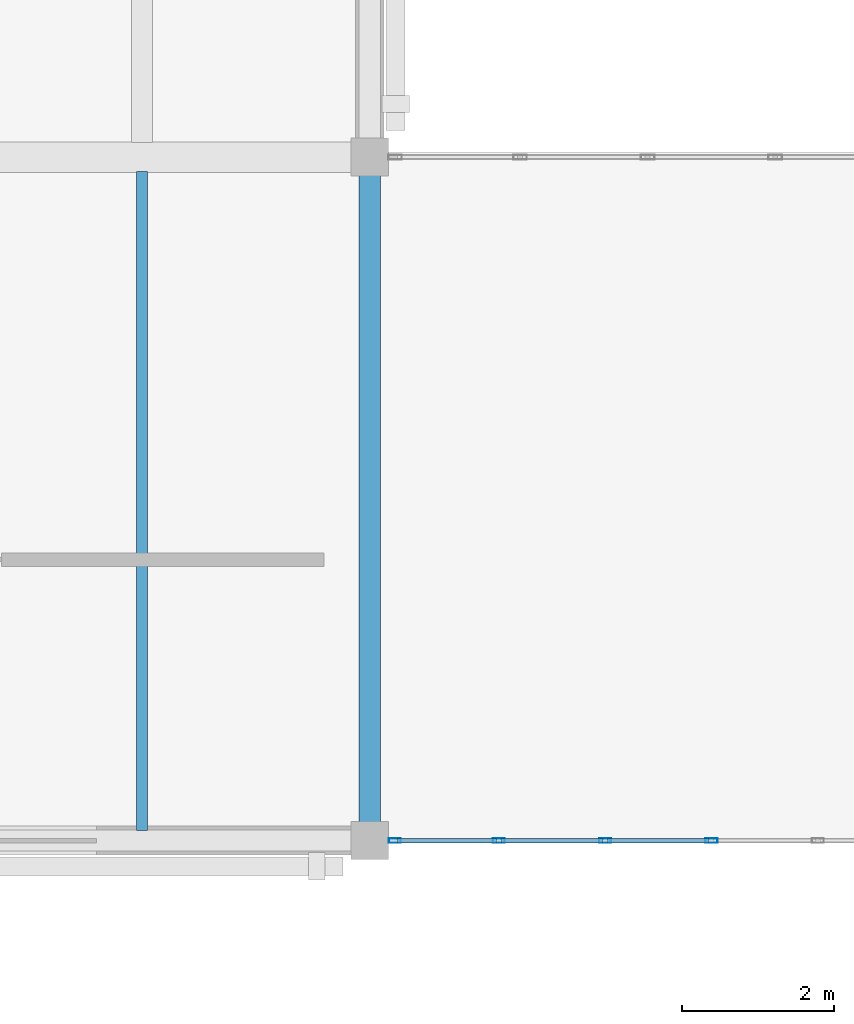
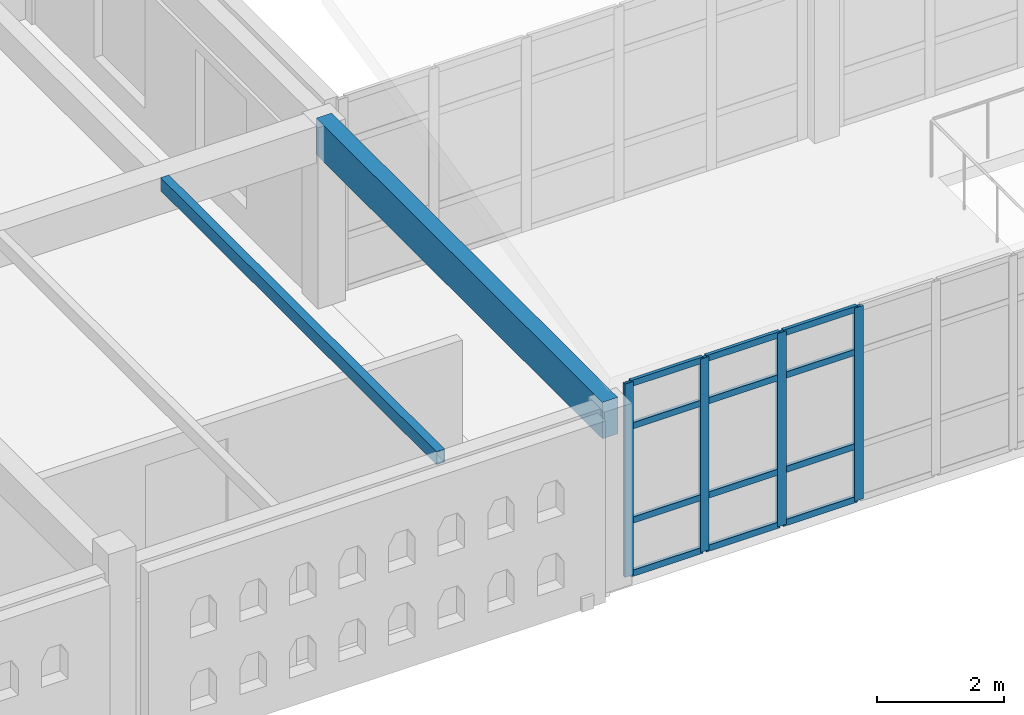
# One storey, part 4 of 156: 16 members, 2 beams, 1 element without a shape of its own.
"""IFC4 building model written with IfcOpenShell, lengths in metres."""

from ifc_helpers import new_model, si_unit, direction, frame, origin, origin_2d, place, context, subcontext, project, spatial, rectangle, hollow_rectangle, extrude, material, layer, layer_set, material_profile, profile_set, type_object, element, aggregate, save


model = new_model("IFC4")

# Units and contexts
model_context = context("Model", 3, precision=1e-05, world=origin(), true_north=direction((0.0, 1.0)))
body_context = subcontext(model_context, "Body", "Model", "MODEL_VIEW")
ifc_project = project(units=[si_unit("LENGTHUNIT", "METRE"), si_unit("AREAUNIT", "SQUARE_METRE"), si_unit("VOLUMEUNIT", "CUBIC_METRE"), si_unit("PLANEANGLEUNIT", "RADIAN"), si_unit("MASSUNIT", "GRAM", prefix="KILO")], contexts=[model_context])

# Site, building, storey
site_placement = place(None, origin())
site = spatial("IfcSite", under=ifc_project, at=site_placement, CompositionType="ELEMENT")
building_placement = place(site_placement, origin())
building = spatial("IfcBuilding", under=site, at=building_placement, Name="Ornek Quay Market", CompositionType="ELEMENT")
storey_placement = place(building_placement, frame((0.0, 0.0, 4.5)))
storey = spatial("IfcBuildingStorey", under=building, at=storey_placement, Name="L01", CompositionType="ELEMENT", Elevation=4.5)

# Beams
ifc_material_1 = material(Name="Steel S355", Category="steel")
ifc_material_profile_1 = material_profile(ifc_material_1, hollow_rectangle(XDim=0.14990234375, YDim=0.25, WallThickness=0.010009765625, at=origin_2d()), Name="RHS 250x150x10", Category="steel")
ifc_profile_set_1 = profile_set([ifc_material_profile_1], Name="Steel S355")
beam_type_1 = type_object("IfcBeamType", Name="BM-RHS-RHS250x150x10", PredefinedType="BEAM", material=ifc_profile_set_1)
beam_1_placement = place(storey_placement, frame((24.0, 20.132080078125, 3.35498046875), z_axis=(0.0, 1.0, 0.0), x_axis=(-1.0, 0.0, 0.0)))
element("IfcBeam", 1, at=beam_1_placement, inside=storey, type_object=beam_type_1, Name="Secondary joist SR-05-008", PredefinedType="BEAM", context=body_context, shape_type="SweptSolid", body=[
    extrude(hollow_rectangle(XDim=0.14990234375, YDim=0.25, WallThickness=0.010009765625, at=origin_2d()), origin(), (0.0, 0.0, 1.0), 8.676025390625),
])
ifc_material_2 = material(Name="Concrete C35/45", Category="concrete")
ifc_material_profile_2 = material_profile(ifc_material_2, rectangle(XDim=0.280029296875, YDim=0.699951171875, at=origin_2d()), Name="RC 280x700", Category="concrete")
ifc_profile_set_2 = profile_set([ifc_material_profile_2], Name="Concrete C35/45")
beam_type_2 = type_object("IfcBeamType", Name="BM-SPN-280x700", PredefinedType="SPANDREL", material=ifc_profile_set_2)
beam_2_placement = place(storey_placement, frame((27.0, 20.0, 3.1298828125), z_axis=(0.0, 1.0, 0.0), x_axis=(-1.0, 0.0, 0.0)))
element("IfcBeam", 2, at=beam_2_placement, inside=storey, type_object=beam_type_2, Name="Primary beam B-SP2-012", PredefinedType="SPANDREL", context=body_context, shape_type="SweptSolid", body=[
    extrude(rectangle(XDim=0.280029296875, YDim=0.699951171875, at=origin_2d()), origin(), (0.0, 0.0, 1.0), 9.0),
])

# Curtain wall, members
ifc_material_3 = material(Name="Anodised bronze aluminium and triple low-e glass", Category="aluminium")
ifc_layer = layer(ifc_material_3, 0.179931640625, Name="Anodised bronze aluminium and triple low-e glass", Category="aluminium")
ifc_layer_set = layer_set([ifc_layer], Name="Anodised bronze aluminium and triple low-e glass")
curtain_wall_type = type_object("IfcCurtainWallType", Name="CW-CONC-MOD1500", PredefinedType="USERDEFINED", material=ifc_layer_set)
curtain_wall_placement = place(storey_placement, origin())
curtain_wall = element("IfcCurtainWall", 3, at=curtain_wall_placement, inside=storey, type_object=curtain_wall_type, Name="Curtain wall CW-016", ObjectType="CURTAIN WALL", PredefinedType="USERDEFINED")
ifc_material_4 = material(Name="Anodised aluminium 6063-T6", Category="aluminium")
ifc_material_profile_3 = material_profile(ifc_material_4, hollow_rectangle(XDim=0.06005859375, YDim=0.159912109375, WallThickness=0.00390625, at=origin_2d()), Name="CW-MUL-60x160", Category="aluminium")
ifc_profile_set_3 = profile_set([ifc_material_profile_3], Name="Anodised aluminium 6063-T6")
member_type_1 = type_object("IfcMemberType", Name="CW-MUL-60x160", PredefinedType="MULLION", material=ifc_profile_set_3)
member_1_placement = place(storey_placement, frame((27.330078125, 20.0, 0.0), z_axis=(0.0, 0.0, 1.0), x_axis=(0.0, 1.0, 0.0)))
member_1 = element("IfcMember", 4, at=member_1_placement, type_object=member_type_1, Name="CW-016 mullion 1", PredefinedType="MULLION", context=body_context, shape_type="SweptSolid", body=[
    extrude(hollow_rectangle(XDim=0.06005859375, YDim=0.159912109375, WallThickness=0.00390625, at=origin_2d()), origin(), (0.0, 0.0, 1.0), 3.7099609375),
])
member_2_placement = place(storey_placement, frame((28.699951171875, 20.0, 0.0), z_axis=(0.0, 0.0, 1.0), x_axis=(0.0, 1.0, 0.0)))
member_2 = element("IfcMember", 5, at=member_2_placement, type_object=member_type_1, Name="CW-016 mullion 2", PredefinedType="MULLION", context=body_context, shape_type="SweptSolid", body=[
    extrude(hollow_rectangle(XDim=0.06005859375, YDim=0.159912109375, WallThickness=0.00390625, at=origin_2d()), origin(), (0.0, 0.0, 1.0), 3.7099609375),
])
member_3_placement = place(storey_placement, frame((30.10009765625, 20.0, 0.0), z_axis=(0.0, 0.0, 1.0), x_axis=(0.0, 1.0, 0.0)))
member_3 = element("IfcMember", 6, at=member_3_placement, type_object=member_type_1, Name="CW-016 mullion 3", PredefinedType="MULLION", context=body_context, shape_type="SweptSolid", body=[
    extrude(hollow_rectangle(XDim=0.06005859375, YDim=0.159912109375, WallThickness=0.00390625, at=origin_2d()), origin(), (0.0, 0.0, 1.0), 3.7099609375),
])
member_4_placement = place(storey_placement, frame((31.5, 20.0, 0.0), z_axis=(0.0, 0.0, 1.0), x_axis=(0.0, 1.0, 0.0)))
member_4 = element("IfcMember", 7, at=member_4_placement, type_object=member_type_1, Name="CW-016 mullion 4", PredefinedType="MULLION", context=body_context, shape_type="SweptSolid", body=[
    extrude(hollow_rectangle(XDim=0.06005859375, YDim=0.159912109375, WallThickness=0.00390625, at=origin_2d()), origin(), (0.0, 0.0, 1.0), 3.7099609375),
])
ifc_material_profile_4 = material_profile(ifc_material_4, hollow_rectangle(XDim=0.06005859375, YDim=0.1201171875, WallThickness=0.00390625, at=origin_2d()), Name="CW-TRN-60x120", Category="aluminium")
ifc_profile_set_4 = profile_set([ifc_material_profile_4], Name="Anodised aluminium 6063-T6")
member_type_2 = type_object("IfcMemberType", Name="CW-TRN-60x120", PredefinedType="USERDEFINED", material=ifc_profile_set_4)
member_5_placement = place(storey_placement, frame((27.360107421875, 20.0, 0.030029296875), z_axis=(1.0, 0.0, 0.0), x_axis=(0.0, 1.0, 0.0)))
member_5 = element("IfcMember", 8, at=member_5_placement, type_object=member_type_2, Name="CW-016 transom 1.1", ObjectType="TRANSOM", PredefinedType="USERDEFINED", context=body_context, shape_type="SweptSolid", body=[
    extrude(hollow_rectangle(XDim=0.06005859375, YDim=0.1201171875, WallThickness=0.00390625, at=origin_2d()), origin(), (0.0, 0.0, 1.0), 1.309814453125),
])
member_6_placement = place(storey_placement, frame((27.360107421875, 20.0, 1.050048828125), z_axis=(1.0, 0.0, 0.0), x_axis=(0.0, 1.0, 0.0)))
member_6 = element("IfcMember", 9, at=member_6_placement, type_object=member_type_2, Name="CW-016 transom 1.2", ObjectType="TRANSOM", PredefinedType="USERDEFINED", context=body_context, shape_type="SweptSolid", body=[
    extrude(hollow_rectangle(XDim=0.06005859375, YDim=0.1201171875, WallThickness=0.00390625, at=origin_2d()), origin(), (0.0, 0.0, 1.0), 1.309814453125),
])
member_7_placement = place(storey_placement, frame((27.360107421875, 20.0, 2.860107421875), z_axis=(1.0, 0.0, 0.0), x_axis=(0.0, 1.0, 0.0)))
member_7 = element("IfcMember", 10, at=member_7_placement, type_object=member_type_2, Name="CW-016 transom 1.3", ObjectType="TRANSOM", PredefinedType="USERDEFINED", context=body_context, shape_type="SweptSolid", body=[
    extrude(hollow_rectangle(XDim=0.06005859375, YDim=0.1201171875, WallThickness=0.00390625, at=origin_2d()), origin(), (0.0, 0.0, 1.0), 1.309814453125),
])
member_8_placement = place(storey_placement, frame((27.360107421875, 20.0, 3.679931640625), z_axis=(1.0, 0.0, 0.0), x_axis=(0.0, 1.0, 0.0)))
member_8 = element("IfcMember", 11, at=member_8_placement, type_object=member_type_2, Name="CW-016 transom 1.4", ObjectType="TRANSOM", PredefinedType="USERDEFINED", context=body_context, shape_type="SweptSolid", body=[
    extrude(hollow_rectangle(XDim=0.06005859375, YDim=0.1201171875, WallThickness=0.00390625, at=origin_2d()), origin(), (0.0, 0.0, 1.0), 1.309814453125),
])
member_9_placement = place(storey_placement, frame((28.72998046875, 20.0, 0.030029296875), z_axis=(1.0, 0.0, 0.0), x_axis=(0.0, 1.0, 0.0)))
member_9 = element("IfcMember", 12, at=member_9_placement, type_object=member_type_2, Name="CW-016 transom 2.1", ObjectType="TRANSOM", PredefinedType="USERDEFINED", context=body_context, shape_type="SweptSolid", body=[
    extrude(hollow_rectangle(XDim=0.06005859375, YDim=0.1201171875, WallThickness=0.00390625, at=origin_2d()), origin(), (0.0, 0.0, 1.0), 1.340087890625),
])
member_10_placement = place(storey_placement, frame((28.72998046875, 20.0, 1.050048828125), z_axis=(1.0, 0.0, 0.0), x_axis=(0.0, 1.0, 0.0)))
member_10 = element("IfcMember", 13, at=member_10_placement, type_object=member_type_2, Name="CW-016 transom 2.2", ObjectType="TRANSOM", PredefinedType="USERDEFINED", context=body_context, shape_type="SweptSolid", body=[
    extrude(hollow_rectangle(XDim=0.06005859375, YDim=0.1201171875, WallThickness=0.00390625, at=origin_2d()), origin(), (0.0, 0.0, 1.0), 1.340087890625),
])
member_11_placement = place(storey_placement, frame((28.72998046875, 20.0, 2.860107421875), z_axis=(1.0, 0.0, 0.0), x_axis=(0.0, 1.0, 0.0)))
member_11 = element("IfcMember", 14, at=member_11_placement, type_object=member_type_2, Name="CW-016 transom 2.3", ObjectType="TRANSOM", PredefinedType="USERDEFINED", context=body_context, shape_type="SweptSolid", body=[
    extrude(hollow_rectangle(XDim=0.06005859375, YDim=0.1201171875, WallThickness=0.00390625, at=origin_2d()), origin(), (0.0, 0.0, 1.0), 1.340087890625),
])
member_12_placement = place(storey_placement, frame((28.72998046875, 20.0, 3.679931640625), z_axis=(1.0, 0.0, 0.0), x_axis=(0.0, 1.0, 0.0)))
member_12 = element("IfcMember", 15, at=member_12_placement, type_object=member_type_2, Name="CW-016 transom 2.4", ObjectType="TRANSOM", PredefinedType="USERDEFINED", context=body_context, shape_type="SweptSolid", body=[
    extrude(hollow_rectangle(XDim=0.06005859375, YDim=0.1201171875, WallThickness=0.00390625, at=origin_2d()), origin(), (0.0, 0.0, 1.0), 1.340087890625),
])
member_13_placement = place(storey_placement, frame((30.1298828125, 20.0, 0.030029296875), z_axis=(1.0, 0.0, 0.0), x_axis=(0.0, 1.0, 0.0)))
member_13 = element("IfcMember", 16, at=member_13_placement, type_object=member_type_2, Name="CW-016 transom 3.1", ObjectType="TRANSOM", PredefinedType="USERDEFINED", context=body_context, shape_type="SweptSolid", body=[
    extrude(hollow_rectangle(XDim=0.06005859375, YDim=0.1201171875, WallThickness=0.00390625, at=origin_2d()), origin(), (0.0, 0.0, 1.0), 1.340087890625),
])
member_14_placement = place(storey_placement, frame((30.1298828125, 20.0, 1.050048828125), z_axis=(1.0, 0.0, 0.0), x_axis=(0.0, 1.0, 0.0)))
member_14 = element("IfcMember", 17, at=member_14_placement, type_object=member_type_2, Name="CW-016 transom 3.2", ObjectType="TRANSOM", PredefinedType="USERDEFINED", context=body_context, shape_type="SweptSolid", body=[
    extrude(hollow_rectangle(XDim=0.06005859375, YDim=0.1201171875, WallThickness=0.00390625, at=origin_2d()), origin(), (0.0, 0.0, 1.0), 1.340087890625),
])
member_15_placement = place(storey_placement, frame((30.1298828125, 20.0, 2.860107421875), z_axis=(1.0, 0.0, 0.0), x_axis=(0.0, 1.0, 0.0)))
member_15 = element("IfcMember", 18, at=member_15_placement, type_object=member_type_2, Name="CW-016 transom 3.3", ObjectType="TRANSOM", PredefinedType="USERDEFINED", context=body_context, shape_type="SweptSolid", body=[
    extrude(hollow_rectangle(XDim=0.06005859375, YDim=0.1201171875, WallThickness=0.00390625, at=origin_2d()), origin(), (0.0, 0.0, 1.0), 1.340087890625),
])
member_16_placement = place(storey_placement, frame((30.1298828125, 20.0, 3.679931640625), z_axis=(1.0, 0.0, 0.0), x_axis=(0.0, 1.0, 0.0)))
member_16 = element("IfcMember", 19, at=member_16_placement, type_object=member_type_2, Name="CW-016 transom 3.4", ObjectType="TRANSOM", PredefinedType="USERDEFINED", context=body_context, shape_type="SweptSolid", body=[
    extrude(hollow_rectangle(XDim=0.06005859375, YDim=0.1201171875, WallThickness=0.00390625, at=origin_2d()), origin(), (0.0, 0.0, 1.0), 1.340087890625),
])
aggregate(curtain_wall, [member_1, member_2, member_3, member_4, member_5, member_6, member_7, member_8, member_9, member_10, member_11, member_12, member_13, member_14, member_15, member_16])

save(model, "model.ifc")
